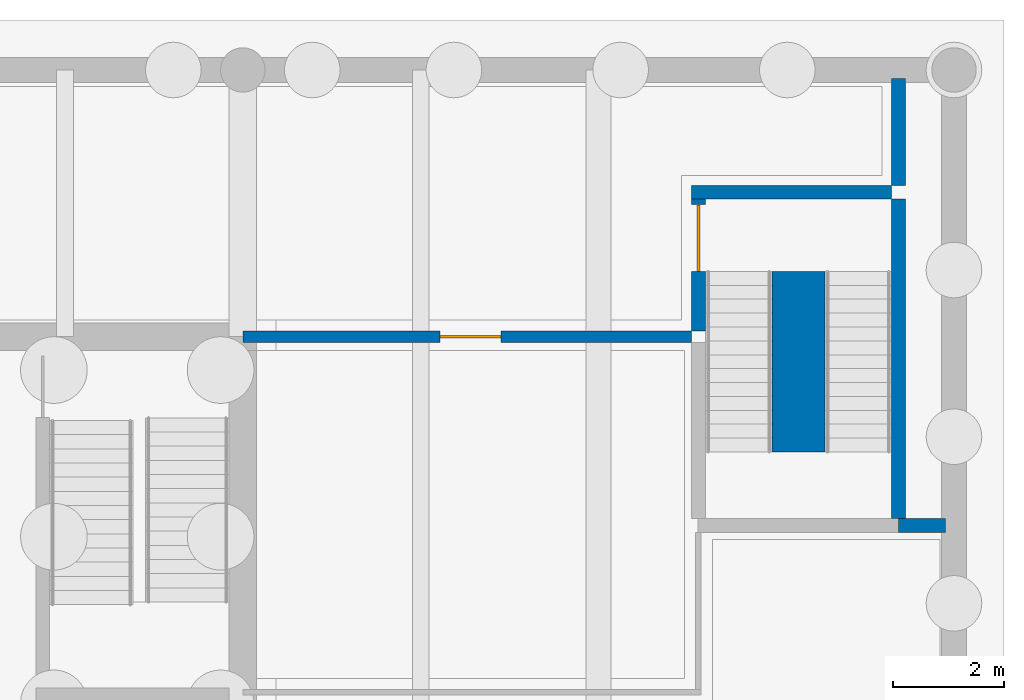
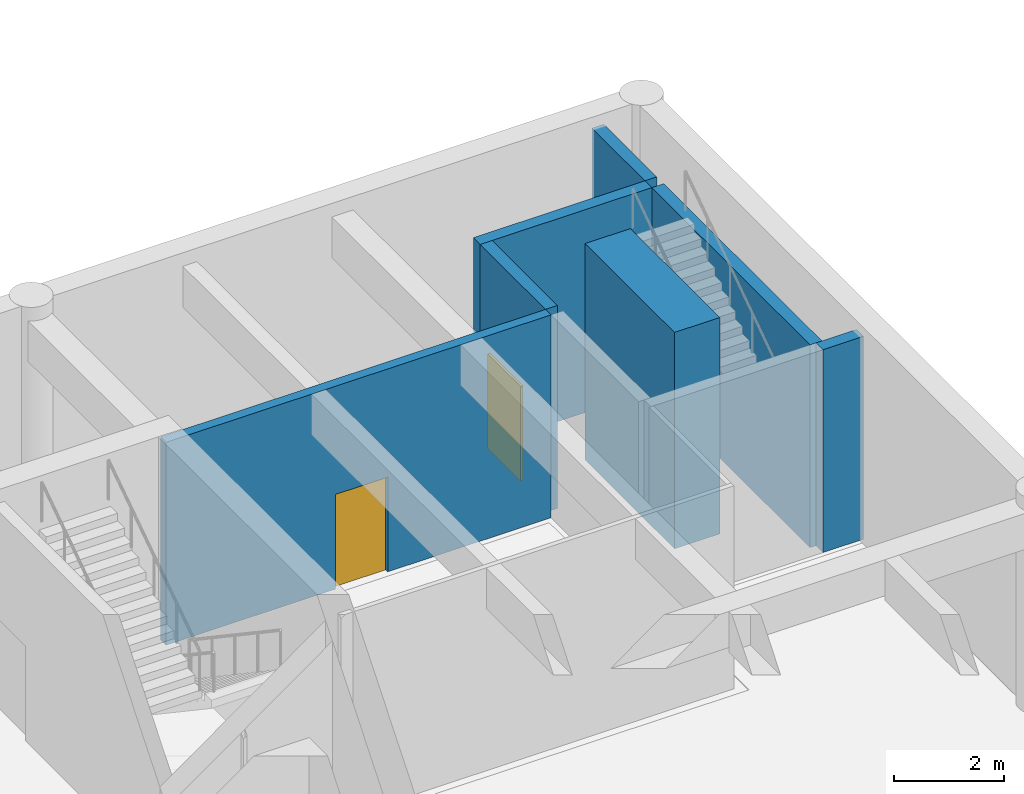
# One storey, part 7 of 24: 7 walls, 2 doors, 2 openings.
"""IFC4 building model written with IfcOpenShell, lengths in metres."""

from ifc_helpers import new_model, si_unit, direction, frame, frame_2d, origin, place, context, subcontext, project, spatial, rectangle, extrude, material, layer, layer_set, type_object, element, fill, save


model = new_model("IFC4")

# Units and contexts
model_context = context("Model", 3, precision=1e-05, world=origin(), true_north=direction((0.0, 1.0)))
body_context = subcontext(model_context, "Body", "Model", "MODEL_VIEW")
ifc_project = project(units=[si_unit("LENGTHUNIT", "METRE"), si_unit("AREAUNIT", "SQUARE_METRE"), si_unit("VOLUMEUNIT", "CUBIC_METRE"), si_unit("PLANEANGLEUNIT", "RADIAN"), si_unit("MASSUNIT", "GRAM", prefix="KILO")], contexts=[model_context])

# Site, building, storey
site_placement = place(None, origin())
site = spatial("IfcSite", under=ifc_project, at=site_placement, CompositionType="ELEMENT")
building_placement = place(site_placement, origin())
building = spatial("IfcBuilding", under=site, at=building_placement, Name="Fogon Plaza Fire Station and Headquarters Tower", CompositionType="ELEMENT")
storey_placement = place(building_placement, frame((0.0, 0.0, -4.800048828125)))
storey = spatial("IfcBuildingStorey", under=building, at=storey_placement, Name="B1", CompositionType="ELEMENT", Elevation=-4.800048828125)

# Wall, opening, door
ifc_material_1 = material(Name="Gypsum Board Fire Partition")
ifc_layer_1 = layer(ifc_material_1, 0.199951171875)
ifc_layer_set_1 = layer_set([ifc_layer_1], Name="Gypsum Board Fire Partition")
wall_type_1 = type_object("IfcWallType", Name="Corridor Wall EI 60", PredefinedType="PARTITIONING", material=ifc_layer_set_1)
wall_1_placement = place(storey_placement, frame((84.875, 52.800048828125, 0.0), z_axis=(0.0, 0.0, 1.0), x_axis=(-1.0, 0.0, 0.0)))
wall_1 = element("IfcWall", 1, at=wall_1_placement, inside=storey, type_object=wall_type_1, Name="wall-B1-E-023", PredefinedType="PARTITIONING", context=body_context, shape_type="SweptSolid", body=[
    extrude(rectangle(XDim=8.074951171875, YDim=0.199951171875, at=frame_2d((4.03759765625, 0.0))), origin(), (0.0, 0.0, 1.0), 4.5),
])
opening_1_placement = place(wall_1_placement, frame((3.425048828125, 0.0, 0.0)))
opening_1 = element("IfcOpeningElement", 2, at=opening_1_placement, cuts=wall_1, Name="Opening B1-D53", PredefinedType="OPENING", context=body_context, shape_type="SweptSolid", body=[
    extrude(rectangle(XDim=1.10009765625, YDim=2.10009765625, at=frame_2d((0.550048828125, 1.050048828125))), frame((0.0, 0.10986328125, 0.0), z_axis=(0.0, -1.0, 0.0), x_axis=(1.0, 0.0, 0.0)), (0.0, 0.0, 1.0), 0.219970703125),
])
ifc_material_2 = material(Name="Steel Fire Door Leaf", Category="steel")
door_type_1 = type_object("IfcDoorType", Name="Corridor Door EI 20 1100x2100", OperationType="SINGLE_SWING_LEFT", PredefinedType="DOOR", material=ifc_material_2)
door_1_placement = place(opening_1_placement, origin())
door_1 = element("IfcDoor", 3, at=door_1_placement, inside=storey, type_object=door_type_1, Name="door-B1-E-13", OperationType="SINGLE_SWING_RIGHT", OverallHeight=2.10009765625, OverallWidth=1.10009765625, PredefinedType="DOOR", context=body_context, shape_type="SweptSolid", body=[
    extrude(rectangle(XDim=1.10009765625, YDim=2.10009765625, at=frame_2d((0.550048828125, 1.050048828125))), frame((0.0, 0.02490234375, 0.0), z_axis=(0.0, -1.0, 0.0), x_axis=(1.0, 0.0, 0.0)), (0.0, 0.0, 1.0), 0.050048828125),
])
fill(opening_1, door_1)

# Walls
ifc_material_3 = material(Name="Concrete C40", Category="concrete")
ifc_layer_2 = layer(ifc_material_3, 0.949951171875)
ifc_layer_set_2 = layer_set([ifc_layer_2], Name="Concrete C40")
wall_type_2 = type_object("IfcWallType", Name="Stair Newel Wall RC 950", PredefinedType="SHEAR", material=ifc_layer_set_2)
wall_2_placement = place(storey_placement, frame((86.800048828125, 53.97509765625, 0.0), z_axis=(0.0, 0.0, 1.0), x_axis=(0.0, -1.0, 0.0)))
element("IfcWall", 4, at=wall_2_placement, inside=storey, type_object=wall_type_2, Name="wall-newel-ST7-B1", PredefinedType="SHEAR", context=body_context, shape_type="SweptSolid", body=[
    extrude(rectangle(XDim=3.25, YDim=0.949951171875, at=frame_2d((1.625, 0.0))), origin(), (0.0, 0.0, 1.0), 4.800048828125),
])
ifc_material_4 = material(Name="Concrete C40", Category="concrete")
ifc_layer_3 = layer(ifc_material_4, 0.25)
ifc_layer_set_3 = layer_set([ifc_layer_3], Name="Concrete C40")
wall_type_3 = type_object("IfcWallType", Name="Stair Shaft Wall RC 250", PredefinedType="SHEAR", material=ifc_layer_set_3)
wall_3_placement = place(storey_placement, frame((88.47509765625, 55.39990234375, 0.0), z_axis=(0.0, 0.0, 1.0), x_axis=(-1.0, 0.0, 0.0)))
element("IfcWall", 5, at=wall_3_placement, inside=storey, type_object=wall_type_3, Name="wall-B1-E-024", PredefinedType="SHEAR", context=body_context, shape_type="SweptSolid", body=[
    extrude(rectangle(XDim=3.60009765625, YDim=0.25, at=frame_2d((1.800048828125, 0.0))), origin(), (0.0, 0.0, 1.0), 4.5),
])
wall_4_placement = place(storey_placement, frame((88.60009765625, 49.52490234375, 0.0), z_axis=(0.0, 0.0, 1.0), x_axis=(0.0, 1.0, 0.0)))
element("IfcWall", 6, at=wall_4_placement, inside=storey, type_object=wall_type_3, Name="wall-B1-E-026", PredefinedType="SHEAR", context=body_context, shape_type="SweptSolid", body=[
    extrude(rectangle(XDim=5.75, YDim=0.25, at=frame_2d((2.875, 0.0))), origin(), (0.0, 0.0, 1.0), 4.5),
])

# Wall, opening, door
wall_5_placement = place(storey_placement, frame((85.0, 52.89990234375, 0.0), z_axis=(0.0, 0.0, 1.0), x_axis=(0.0, 1.0, 0.0)))
wall_5 = element("IfcWall", 7, at=wall_5_placement, inside=storey, type_object=wall_type_3, Name="wall-B1-E-033", PredefinedType="SHEAR", context=body_context, shape_type="SweptSolid", body=[
    extrude(rectangle(XDim=2.375, YDim=0.25, at=frame_2d((1.1875, 0.0))), origin(), (0.0, 0.0, 1.0), 4.5),
])
opening_2_placement = place(wall_5_placement, frame((1.074951171875, 0.0, 0.0)))
opening_2 = element("IfcOpeningElement", 8, at=opening_2_placement, cuts=wall_5, Name="Opening B1-D54", PredefinedType="OPENING", context=body_context, shape_type="SweptSolid", body=[
    extrude(rectangle(XDim=1.199951171875, YDim=2.10009765625, at=frame_2d((0.60009765625, 1.050048828125))), frame((0.0, 0.135009765625, 0.0), z_axis=(0.0, -1.0, 0.0), x_axis=(1.0, 0.0, 0.0)), (0.0, 0.0, 1.0), 0.27001953125),
])
ifc_material_5 = material(Name="Steel Fire Door Leaf", Category="steel")
door_type_2 = type_object("IfcDoorType", Name="Stair Door EI 90 1200x2100", OperationType="SINGLE_SWING_LEFT", PredefinedType="DOOR", material=ifc_material_5)
door_2_placement = place(opening_2_placement, frame((1.199951171875, 0.0, 0.0), z_axis=(0.0, 0.0, 1.0), x_axis=(-1.0, 0.0, 0.0)))
door_2 = element("IfcDoor", 9, at=door_2_placement, inside=storey, type_object=door_type_2, Name="door-B1-E-14", OperationType="SINGLE_SWING_LEFT", OverallHeight=2.10009765625, OverallWidth=1.199951171875, PredefinedType="DOOR", context=body_context, shape_type="SweptSolid", body=[
    extrude(rectangle(XDim=1.199951171875, YDim=2.10009765625, at=frame_2d((0.60009765625, 1.050048828125))), frame((0.0, 0.02490234375, 0.0), z_axis=(0.0, -1.0, 0.0), x_axis=(1.0, 0.0, 0.0)), (0.0, 0.0, 1.0), 0.050048828125),
])
fill(opening_2, door_2)

# Walls
ifc_material_6 = material(Name="Concrete Block Fire Wall", Category="concrete")
ifc_layer_4 = layer(ifc_material_6, 0.25)
ifc_layer_set_4 = layer_set([ifc_layer_4], Name="Concrete Block Fire Wall")
wall_type_4 = type_object("IfcWallType", Name="Stair and Shaft Wall EI 120", PredefinedType="PARTITIONING", material=ifc_layer_set_4)
wall_6_placement = place(storey_placement, frame((89.449951171875, 49.39990234375, 0.0), z_axis=(0.0, 0.0, 1.0), x_axis=(-1.0, 0.0, 0.0)))
element("IfcWall", 10, at=wall_6_placement, inside=storey, type_object=wall_type_4, Name="wall-B1-E-021", PredefinedType="PARTITIONING", context=body_context, shape_type="SweptSolid", body=[
    extrude(rectangle(XDim=0.849853515625, YDim=0.25, at=frame_2d((0.4248046875, 0.0))), origin(), (0.0, 0.0, 1.0), 4.5),
])
wall_7_placement = place(storey_placement, frame((88.60009765625, 55.52490234375, 0.0), z_axis=(0.0, 0.0, 1.0), x_axis=(0.0, 1.0, 0.0)))
element("IfcWall", 11, at=wall_7_placement, inside=storey, type_object=wall_type_4, Name="wall-B1-E-027", PredefinedType="PARTITIONING", context=body_context, shape_type="SweptSolid", body=[
    extrude(rectangle(XDim=1.925048828125, YDim=0.25, at=frame_2d((0.96240234375, 0.0))), origin(), (0.0, 0.0, 1.0), 4.5),
])

save(model, "model.ifc")
